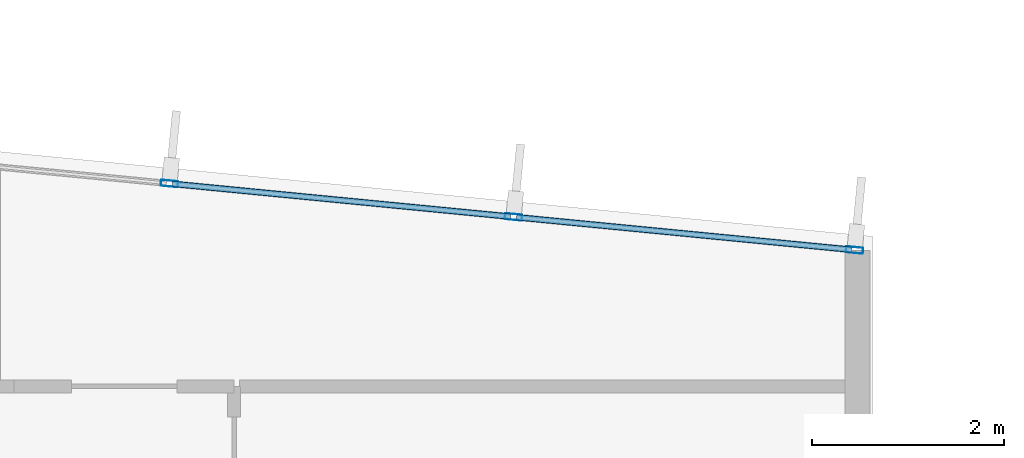
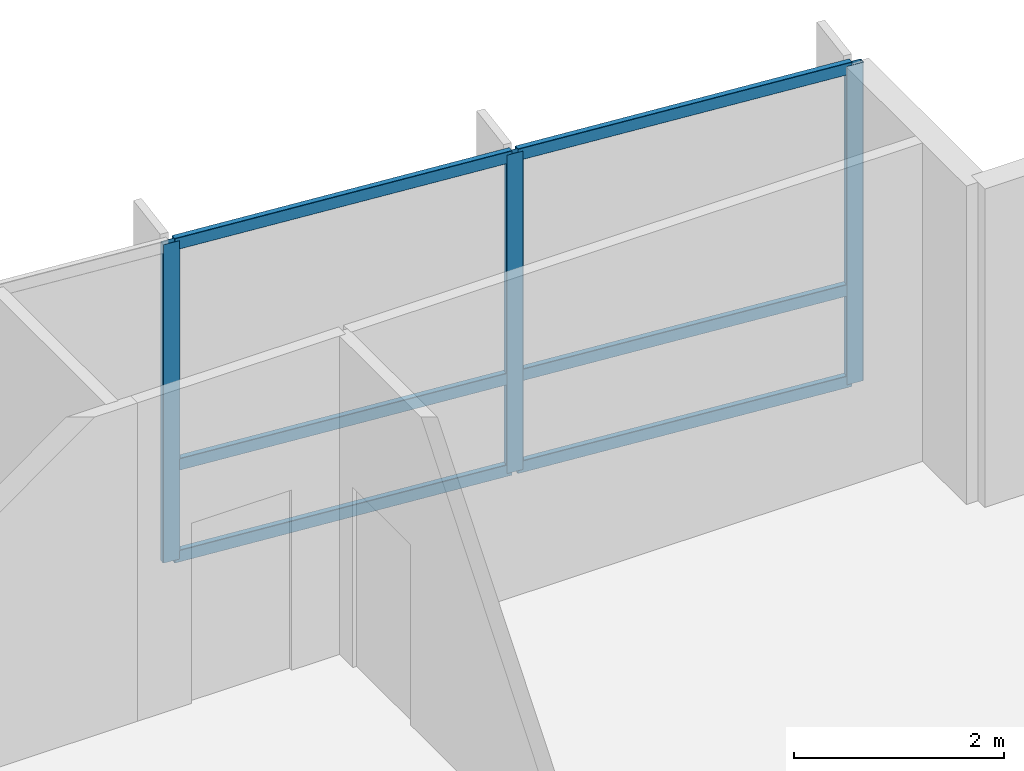
# One storey, part 8 of 16: 9 members, 1 element without a shape of its own.
"""IFC4 building model written with IfcOpenShell, lengths in metres."""

import ifcopenshell
import ifcopenshell.guid

model = None  # the IFC model being written
_history = None  # IfcOwnerHistory: only IFC2X3 demands one
_inside = {}  # id of a spatial element -> (the spatial element, [elements in it])
_under = {}  # id of a project, library or spatial element -> (it, [spatial elements below it])
_declared = {}  # id of a project -> (the project, [libraries it declares])
_typed = {}  # id of a type object -> (the type object, [elements of that type])
_made_of = {}  # id of a material, layer set ... -> (it, [elements and type objects made of it])


def new_model(schema):
    """Start an empty IFC model of exactly this schema.

    Asked for "IFC4X3", IfcOpenShell would pick the latest addendum, in which some entities
    have other attributes; the version numbers below select the first issue.
    IFC2X3 requires an IfcOwnerHistory on every rooted entity: one is made here for all.
    """
    global model, _history
    if schema == "IFC4X3":
        model = ifcopenshell.file(schema_version=(4, 3, 0, 0))
    else:
        model = ifcopenshell.file(schema=schema)
    _inside.clear()
    _under.clear()
    _declared.clear()
    _typed.clear()
    _made_of.clear()
    _history = None
    if model.schema == "IFC2X3":
        org = make("IfcOrganization", Name="unknown")
        user = make(
            "IfcPersonAndOrganization",
            ThePerson=make("IfcPerson", FamilyName="unknown"),
            TheOrganization=org,
        )
        app = make(
            "IfcApplication",
            ApplicationDeveloper=org,
            Version="unknown",
            ApplicationFullName="unknown",
            ApplicationIdentifier="unknown",
        )
        _history = make(
            "IfcOwnerHistory",
            OwningUser=user,
            OwningApplication=app,
            ChangeAction="ADDED",
            CreationDate=0,
        )
    return model


def make(cls, **values):
    """One entity of the class cls with the attributes given. An attribute that is None is left unset."""
    return model.create_entity(
        cls, **{name: value for name, value in values.items() if value is not None}
    )


def rooted(cls, **values):
    """An entity with a GlobalId (a new one), such as an element, a storey or a relation."""
    return make(cls, GlobalId=ifcopenshell.guid.new(), OwnerHistory=_history, **values)


def si_unit(unit_type, name, prefix=None):
    """IfcSIUnit, for example si_unit("LENGTHUNIT", "METRE", prefix="MILLI")."""
    return make("IfcSIUnit", UnitType=unit_type, Prefix=prefix, Name=name)


def assignment(units):
    """IfcUnitAssignment: the units of a project."""
    return None if units is None else make("IfcUnitAssignment", Units=units)


def point(xyz):
    """IfcCartesianPoint."""
    return None if xyz is None else make("IfcCartesianPoint", Coordinates=xyz)


def direction(xyz):
    """IfcDirection."""
    return None if xyz is None else make("IfcDirection", DirectionRatios=xyz)


def frame(location, z_axis=None, x_axis=None):
    """IfcAxis2Placement3D, a coordinate frame: its origin and axes. An axis left out is left unset."""
    return make(
        "IfcAxis2Placement3D",
        Location=point(location),
        Axis=direction(z_axis),
        RefDirection=direction(x_axis),
    )


def frame_2d(location, x_axis=None):
    """IfcAxis2Placement2D, a coordinate frame in the plane: its origin and x axis."""
    return make(
        "IfcAxis2Placement2D", Location=point(location), RefDirection=direction(x_axis)
    )


def origin():
    """The frame at (0, 0, 0) with its axes left unset."""
    return frame((0.0, 0.0, 0.0))


def origin_2d():
    """The frame at (0, 0) in the plane with its x axis left unset."""
    return frame_2d((0.0, 0.0))


def place(relative_to, where):
    """IfcLocalPlacement: puts the frame where relative to a parent placement (None: the world)."""
    return make(
        "IfcLocalPlacement", PlacementRelTo=relative_to, RelativePlacement=where
    )


def context(
    kind, dimensions, precision=None, world=None, true_north=None, identifier=None
):
    """IfcGeometricRepresentationContext, for example the 3D "Model" context."""
    return make(
        "IfcGeometricRepresentationContext",
        ContextIdentifier=identifier,
        ContextType=kind,
        CoordinateSpaceDimension=dimensions,
        Precision=precision,
        WorldCoordinateSystem=world,
        TrueNorth=true_north,
    )


def subcontext(parent, identifier, kind, view, scale=None):
    """IfcGeometricRepresentationSubContext, for example "Body" below "Model"."""
    return make(
        "IfcGeometricRepresentationSubContext",
        ContextIdentifier=identifier,
        ContextType=kind,
        ParentContext=parent,
        TargetScale=scale,
        TargetView=view,
    )


def project(units=None, contexts=None):
    """IfcProject with its units and contexts."""
    return rooted(
        "IfcProject",
        Name="project",
        RepresentationContexts=contexts,
        UnitsInContext=assignment(units),
    )


def spatial(cls, under=None, at=None, **own):
    """A site, building, storey or space (cls), placed at a placement, below another one or the project."""
    s = rooted(cls, ObjectPlacement=at, **own)
    if under is not None:
        _under.setdefault(under.id(), (under, []))[1].append(s)
    return s


def profile(cls, at=None, kind="AREA", **sizes):
    """A parametric profile (cls). Its sizes go by their IFC names, for example OverallWidth=200.0."""
    return make(cls, ProfileType=kind, Position=at, **sizes)


def hollow_rectangle(**sizes):
    """IfcRectangleHollowProfileDef."""
    return profile("IfcRectangleHollowProfileDef", **sizes)


def extrude(swept, where, along, depth):
    """IfcExtrudedAreaSolid: the profile swept, set in the frame where, extruded along a direction by depth."""
    return make(
        "IfcExtrudedAreaSolid",
        SweptArea=swept,
        Position=where,
        ExtrudedDirection=direction(along),
        Depth=depth,
    )


def shape(context_of_items, identifier, shape_type, items):
    """IfcShapeRepresentation: the items that make up one representation, for example the "Body"."""
    return make(
        "IfcShapeRepresentation",
        ContextOfItems=context_of_items,
        RepresentationIdentifier=identifier,
        RepresentationType=shape_type,
        Items=items,
    )


def material(Name=None, Category=None):
    """IfcMaterial."""
    return make("IfcMaterial", Name=Name, Category=Category)


def layer(
    of_material, thickness, ventilated=None, Name=None, Category=None, Priority=None
):
    """IfcMaterialLayer: one layer of a wall or slab, of a material (None: an air gap)."""
    return make(
        "IfcMaterialLayer",
        Material=of_material,
        LayerThickness=thickness,
        IsVentilated=ventilated,
        Name=Name,
        Category=Category,
        Priority=Priority,
    )


def layer_set(layers, Name=None):
    """IfcMaterialLayerSet."""
    return make("IfcMaterialLayerSet", MaterialLayers=layers, LayerSetName=Name)


def material_profile(
    of_material, cross_section, Name=None, Category=None, Priority=None
):
    """IfcMaterialProfile: a cross section and its material."""
    return make(
        "IfcMaterialProfile",
        Name=Name,
        Material=of_material,
        Profile=cross_section,
        Priority=Priority,
        Category=Category,
    )


def profile_set(profiles, Name=None, composite=None):
    """IfcMaterialProfileSet."""
    return make(
        "IfcMaterialProfileSet",
        Name=Name,
        MaterialProfiles=profiles,
        CompositeProfile=composite,
    )


def made_of(thing, what):
    """Note that an element or type object is made of a material, layer set ...; save() writes the relation."""
    if what is not None:
        _made_of.setdefault(what.id(), (what, []))[1].append(thing)
    return thing


def type_object(cls, material=None, **own):
    """A type object (cls), such as IfcWallType, which elements share."""
    return made_of(rooted(cls, **own), material)


def element(
    cls,
    number,
    at=None,
    inside=None,
    cuts=None,
    type_object=None,
    material=None,
    context=None,
    identifier="Body",
    shape_type=None,
    held_by="IfcProductDefinitionShape",
    body=None,
    shapes=None,
    **own,
):
    """One element of the class cls, such as IfcWall. Its Tag is "e" and its number.

    at: its placement. inside: the storey or other place that contains it. cuts: it is an
    opening in that element (IfcRelVoidsElement). A single representation is given by context,
    identifier, shape_type and body (its items); several are given by shapes. held_by: the class
    of the entity that holds the representations. save() writes the other relations.
    """
    e = rooted(cls, Tag="e%d" % number, ObjectPlacement=at, **own)
    if body is not None:
        shapes = [shape(context, identifier, shape_type, body)]
    if shapes is not None:
        e.Representation = make(held_by, Representations=shapes)
    if inside is not None:
        _inside.setdefault(inside.id(), (inside, []))[1].append(e)
    if cuts is not None:
        rooted(
            "IfcRelVoidsElement", RelatingBuildingElement=cuts, RelatedOpeningElement=e
        )
    if type_object is not None:
        _typed.setdefault(type_object.id(), (type_object, []))[1].append(e)
    return made_of(e, material)


def aggregate(whole, parts):
    """IfcRelAggregates: a whole, such as a stair, and the parts it consists of."""
    return rooted("IfcRelAggregates", RelatingObject=whole, RelatedObjects=parts)


def save(model, path):
    """Write the relations noted so far, then the file.

    IfcRelAggregates (storeys below a building ...), IfcRelContainedInSpatialStructure (elements
    in a storey), IfcRelDefinesByType, IfcRelAssociatesMaterial and IfcRelDeclares: one each for
    every whole, place, type object, material and project.
    """
    for whole, parts in _under.values():
        aggregate(whole, parts)
    for where, things in _inside.values():
        rooted(
            "IfcRelContainedInSpatialStructure",
            RelatedElements=things,
            RelatingStructure=where,
        )
    for kind, things in _typed.values():
        rooted("IfcRelDefinesByType", RelatedObjects=things, RelatingType=kind)
    for what, things in _made_of.values():
        rooted("IfcRelAssociatesMaterial", RelatedObjects=things, RelatingMaterial=what)
    for by, libraries in _declared.values():
        rooted("IfcRelDeclares", RelatingContext=by, RelatedDefinitions=libraries)
    model.write(path)


model = new_model("IFC4")

# Units and contexts
model_context = context("Model", 3, precision=1e-05, world=origin(), true_north=direction((0.0, 1.0)))
body_context = subcontext(model_context, "Body", "Model", "MODEL_VIEW")
ifc_project = project(units=[si_unit("LENGTHUNIT", "METRE"), si_unit("AREAUNIT", "SQUARE_METRE"), si_unit("VOLUMEUNIT", "CUBIC_METRE"), si_unit("PLANEANGLEUNIT", "RADIAN"), si_unit("MASSUNIT", "GRAM", prefix="KILO")], contexts=[model_context])

# Site, building, storey
site_placement = place(None, origin())
site = spatial("IfcSite", under=ifc_project, at=site_placement, CompositionType="ELEMENT")
building_placement = place(site_placement, origin())
building = spatial("IfcBuilding", under=site, at=building_placement, Name="Varnakote Quay Hospital", CompositionType="ELEMENT")
storey_placement = place(building_placement, frame((0.0, 0.0, 280.25)))
storey = spatial("IfcBuildingStorey", under=building, at=storey_placement, Name="L69", CompositionType="ELEMENT", Elevation=280.25)

# Curtain wall, members
ifc_material_1 = material(Name="Anodised aluminium 6063-T6 Bronze", Category="aluminium")
ifc_layer = layer(ifc_material_1, 0.235107421875)
ifc_layer_set = layer_set([ifc_layer], Name="Anodised aluminium 6063-T6 Bronze")
curtain_wall_type = type_object("IfcCurtainWallType", Name="CW-SYS-5", PredefinedType="NOTDEFINED", material=ifc_layer_set)
curtain_wall_placement = place(storey_placement, origin())
curtain_wall = element("IfcCurtainWall", 1, at=curtain_wall_placement, inside=storey, type_object=curtain_wall_type, Name="L69 Unitised Bronze Curtain Wall 1", PredefinedType="NOTDEFINED")
ifc_material_2 = material(Name="Anodised aluminium 6063-T6 Bronze", Category="aluminium")
ifc_material_profile_1 = material_profile(ifc_material_2, hollow_rectangle(XDim=0.06494140625, YDim=0.179931640625, WallThickness=0.00390625, InnerFilletRadius=0.00390625, OuterFilletRadius=0.008056640625, at=origin_2d()), Name="CW-MULL-180x65")
ifc_profile_set_1 = profile_set([ifc_material_profile_1], Name="Anodised aluminium 6063-T6 Bronze")
member_type_1 = type_object("IfcMemberType", Name="CW-MULL-180x65", PredefinedType="MULLION", material=ifc_profile_set_1)
member_1_placement = place(storey_placement, frame((38.707763671875, 28.557861328125, 0.0), z_axis=(0.0, 0.0, 1.0), x_axis=(-0.096568970683, -0.995326295192, 0.0)))
member_1 = element("IfcMember", 2, at=member_1_placement, type_object=member_type_1, Name="-5-L69-1 mullion 1", PredefinedType="MULLION", context=body_context, shape_type="SweptSolid", body=[
    extrude(hollow_rectangle(XDim=0.06494140625, YDim=0.179931640625, WallThickness=0.00390625, InnerFilletRadius=0.00390625, OuterFilletRadius=0.008056640625, at=origin_2d()), origin(), (0.0, 0.0, 1.0), 3.7099609375),
])
member_2_placement = place(storey_placement, frame((35.15771484375, 28.90234375, 0.0), z_axis=(0.0, 0.0, 1.0), x_axis=(-0.096568970683, -0.995326295192, 0.0)))
member_2 = element("IfcMember", 3, at=member_2_placement, type_object=member_type_1, Name="-5-L69-1 mullion 2", PredefinedType="MULLION", context=body_context, shape_type="SweptSolid", body=[
    extrude(hollow_rectangle(XDim=0.06494140625, YDim=0.179931640625, WallThickness=0.00390625, InnerFilletRadius=0.00390625, OuterFilletRadius=0.008056640625, at=origin_2d()), origin(), (0.0, 0.0, 1.0), 3.7099609375),
])
member_3_placement = place(storey_placement, frame((31.575439453125, 29.25, 0.0), z_axis=(0.0, 0.0, 1.0), x_axis=(-0.096568970683, -0.995326295192, 0.0)))
member_3 = element("IfcMember", 4, at=member_3_placement, type_object=member_type_1, Name="-5-L69-1 mullion 3", PredefinedType="MULLION", context=body_context, shape_type="SweptSolid", body=[
    extrude(hollow_rectangle(XDim=0.06494140625, YDim=0.179931640625, WallThickness=0.00390625, InnerFilletRadius=0.00390625, OuterFilletRadius=0.008056640625, at=origin_2d()), origin(), (0.0, 0.0, 1.0), 3.7099609375),
])
ifc_material_3 = material(Name="Anodised aluminium 6063-T6 Bronze", Category="aluminium")
ifc_material_profile_2 = material_profile(ifc_material_3, hollow_rectangle(XDim=0.06494140625, YDim=0.139892578125, WallThickness=0.00390625, InnerFilletRadius=0.00390625, OuterFilletRadius=0.007568359375, at=origin_2d()), Name="CW-TRAN-140x65")
ifc_profile_set_2 = profile_set([ifc_material_profile_2], Name="Anodised aluminium 6063-T6 Bronze")
member_type_2 = type_object("IfcMemberType", Name="CW-TRAN-140x65", PredefinedType="USERDEFINED", material=ifc_profile_set_2)
member_4_placement = place(storey_placement, frame((38.67529296875, 28.56103515625, 0.032470703125), z_axis=(-0.995326912616, 0.096562606751, 0.0), x_axis=(-0.096562606751, -0.995326912616, 0.0)))
member_4 = element("IfcMember", 5, at=member_4_placement, type_object=member_type_2, Name="-5-L69-1 transom 1.1", ObjectType="TRANSOM", PredefinedType="USERDEFINED", context=body_context, shape_type="SweptSolid", body=[
    extrude(hollow_rectangle(XDim=0.06494140625, YDim=0.139892578125, WallThickness=0.00390625, InnerFilletRadius=0.00390625, OuterFilletRadius=0.007568359375, at=origin_2d()), origin(), (0.0, 0.0, 1.0), 3.501708984375),
])
member_5_placement = place(storey_placement, frame((38.67529296875, 28.56103515625, 1.10009765625), z_axis=(-0.995326912616, 0.096562606751, 0.0), x_axis=(-0.096562606751, -0.995326912616, 0.0)))
member_5 = element("IfcMember", 6, at=member_5_placement, type_object=member_type_2, Name="-5-L69-1 transom 1.2", ObjectType="TRANSOM", PredefinedType="USERDEFINED", context=body_context, shape_type="SweptSolid", body=[
    extrude(hollow_rectangle(XDim=0.06494140625, YDim=0.139892578125, WallThickness=0.00390625, InnerFilletRadius=0.00390625, OuterFilletRadius=0.007568359375, at=origin_2d()), origin(), (0.0, 0.0, 1.0), 3.501708984375),
])
member_6_placement = place(storey_placement, frame((38.67529296875, 28.56103515625, 3.677490234375), z_axis=(-0.995326912616, 0.096562606751, 0.0), x_axis=(-0.096562606751, -0.995326912616, 0.0)))
member_6 = element("IfcMember", 7, at=member_6_placement, type_object=member_type_2, Name="-5-L69-1 transom 1.3", ObjectType="TRANSOM", PredefinedType="USERDEFINED", context=body_context, shape_type="SweptSolid", body=[
    extrude(hollow_rectangle(XDim=0.06494140625, YDim=0.139892578125, WallThickness=0.00390625, InnerFilletRadius=0.00390625, OuterFilletRadius=0.007568359375, at=origin_2d()), origin(), (0.0, 0.0, 1.0), 3.501708984375),
])
member_7_placement = place(storey_placement, frame((35.125244140625, 28.905517578125, 0.032470703125), z_axis=(-0.99532562518, 0.09657587618, 0.0), x_axis=(-0.09657587618, -0.99532562518, 0.0)))
member_7 = element("IfcMember", 8, at=member_7_placement, type_object=member_type_2, Name="-5-L69-1 transom 2.1", ObjectType="TRANSOM", PredefinedType="USERDEFINED", context=body_context, shape_type="SweptSolid", body=[
    extrude(hollow_rectangle(XDim=0.06494140625, YDim=0.139892578125, WallThickness=0.00390625, InnerFilletRadius=0.00390625, OuterFilletRadius=0.007568359375, at=origin_2d()), origin(), (0.0, 0.0, 1.0), 3.5341796875),
])
member_8_placement = place(storey_placement, frame((35.125244140625, 28.905517578125, 1.10009765625), z_axis=(-0.99532562518, 0.09657587618, 0.0), x_axis=(-0.09657587618, -0.99532562518, 0.0)))
member_8 = element("IfcMember", 9, at=member_8_placement, type_object=member_type_2, Name="-5-L69-1 transom 2.2", ObjectType="TRANSOM", PredefinedType="USERDEFINED", context=body_context, shape_type="SweptSolid", body=[
    extrude(hollow_rectangle(XDim=0.06494140625, YDim=0.139892578125, WallThickness=0.00390625, InnerFilletRadius=0.00390625, OuterFilletRadius=0.007568359375, at=origin_2d()), origin(), (0.0, 0.0, 1.0), 3.5341796875),
])
member_9_placement = place(storey_placement, frame((35.125244140625, 28.905517578125, 3.677490234375), z_axis=(-0.99532562518, 0.09657587618, 0.0), x_axis=(-0.09657587618, -0.99532562518, 0.0)))
member_9 = element("IfcMember", 10, at=member_9_placement, type_object=member_type_2, Name="-5-L69-1 transom 2.3", ObjectType="TRANSOM", PredefinedType="USERDEFINED", context=body_context, shape_type="SweptSolid", body=[
    extrude(hollow_rectangle(XDim=0.06494140625, YDim=0.139892578125, WallThickness=0.00390625, InnerFilletRadius=0.00390625, OuterFilletRadius=0.007568359375, at=origin_2d()), origin(), (0.0, 0.0, 1.0), 3.5341796875),
])
aggregate(curtain_wall, [member_1, member_2, member_3, member_4, member_5, member_6, member_7, member_8, member_9])

save(model, "model.ifc")
